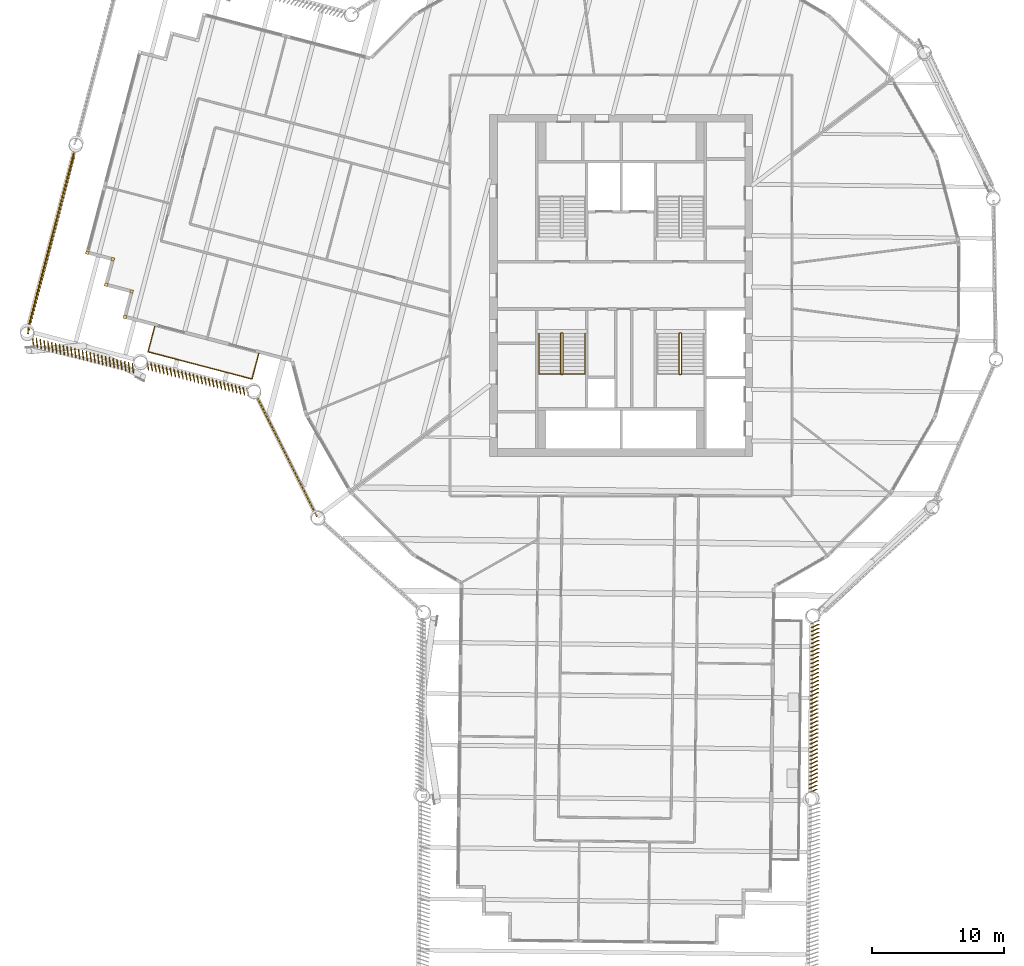
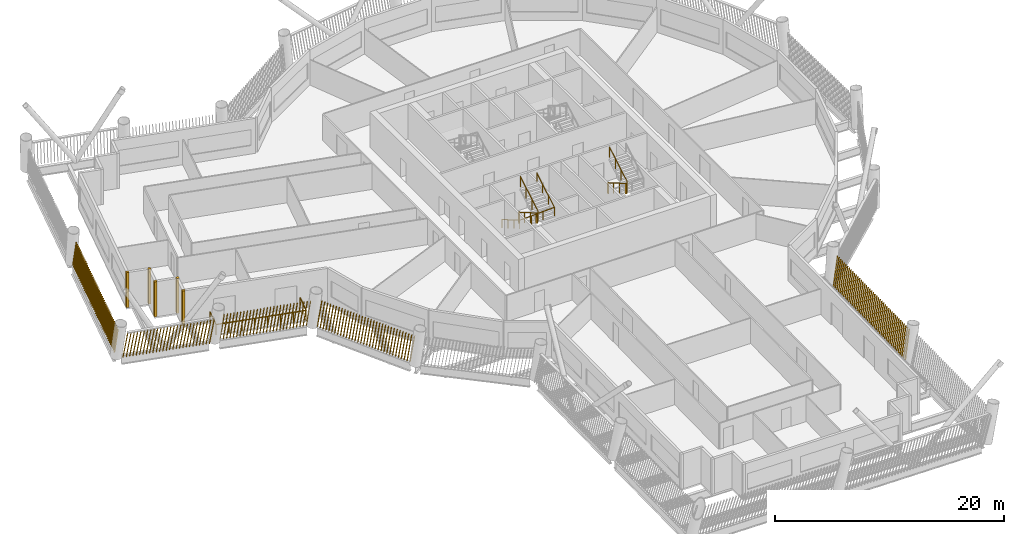
# One storey, part 18 of 21: 10 shading devices, 4 railings.
"""IFC4 building model written with IfcOpenShell, lengths in metres."""

from ifc_helpers import new_model, si_unit, direction, frame, frame_2d, origin, origin_2d, place, context, subcontext, project, spatial, rectangle, circle, composite_profile, extrude, material, type_object, element, save


model = new_model("IFC4")

# Units and contexts
model_context = context("Model", 3, precision=1e-05, world=origin(), true_north=direction((0.0, 1.0)))
body_context = subcontext(model_context, "Body", "Model", "MODEL_VIEW")
ifc_project = project(units=[si_unit("LENGTHUNIT", "METRE"), si_unit("AREAUNIT", "SQUARE_METRE"), si_unit("VOLUMEUNIT", "CUBIC_METRE"), si_unit("PLANEANGLEUNIT", "RADIAN"), si_unit("MASSUNIT", "GRAM", prefix="KILO")], contexts=[model_context])

# Site, building, storey
site_placement = place(None, origin())
site = spatial("IfcSite", under=ifc_project, at=site_placement, CompositionType="ELEMENT")
building_placement = place(site_placement, origin())
building = spatial("IfcBuilding", under=site, at=building_placement, Name="Tarsis Ring Headquarters", CompositionType="ELEMENT")
storey_placement = place(building_placement, frame((0.0, 0.0, 223.800048828125)))
storey = spatial("IfcBuildingStorey", under=building, at=storey_placement, Name="L52", CompositionType="ELEMENT", Elevation=223.800048828125)

# Railings
ifc_material_1 = material(Name="Stainless steel guard", Category="steel")
railing_type_1 = type_object("IfcRailingType", Name="Balcony balustrade with mesh infill 1100", PredefinedType="BALUSTRADE", material=ifc_material_1)
railing_1_placement = place(storey_placement, frame((-35.447509765625, -3.11865234375, 0.0)))
element("IfcRailing", 1, at=railing_1_placement, inside=storey, type_object=railing_type_1, Name="Balcony balustrade L52-01", PredefinedType="BALUSTRADE", context=body_context, shape_type="SweptSolid", body=[
    extrude(circle(Radius=0.030029296875, at=origin_2d()), frame((0.0, 0.0, 1.070068359375), z_axis=(-0.25340562707, -0.967360112972, 0.0), x_axis=(0.967360112972, -0.25340562707, 0.0)), (0.0, 0.0, 1.0), 2.0),
    extrude(circle(Radius=0.030029296875, at=origin_2d()), frame((-0.5068359375, -1.934814453125, 1.070068359375), z_axis=(0.967361064784, -0.253401993561, 0.0), x_axis=(0.253401993561, 0.967361064784, 0.0)), (0.0, 0.0, 1.0), 8.172119140625),
    extrude(circle(Radius=0.030029296875, at=origin_2d()), frame((7.3984375, -4.005615234375, 1.070068359375), z_axis=(0.25343555267, 0.967352273292, 0.0), x_axis=(-0.967352273292, 0.25343555267, 0.0)), (0.0, 0.0, 1.0), 1.999755859375),
    extrude(circle(Radius=0.02490234375, at=origin_2d()), origin(), (0.0, 0.0, 1.0), 1.0400390625),
    extrude(circle(Radius=0.02490234375, at=origin_2d()), frame((-0.25341796875, -0.96728515625, 0.0)), (0.0, 0.0, 1.0), 1.0400390625),
    extrude(circle(Radius=0.02490234375, at=origin_2d()), frame((-0.5068359375, -1.934814453125, 0.0)), (0.0, 0.0, 1.0), 1.0400390625),
    extrude(circle(Radius=0.02490234375, at=origin_2d()), frame((0.62255859375, -2.230712890625, 0.0)), (0.0, 0.0, 1.0), 1.0400390625),
    extrude(circle(Radius=0.02490234375, at=origin_2d()), frame((1.751708984375, -2.5263671875, 0.0)), (0.0, 0.0, 1.0), 1.0400390625),
    extrude(circle(Radius=0.02490234375, at=origin_2d()), frame((2.881103515625, -2.822265625, 0.0)), (0.0, 0.0, 1.0), 1.0400390625),
    extrude(circle(Radius=0.02490234375, at=origin_2d()), frame((4.010498046875, -3.1181640625, 0.0)), (0.0, 0.0, 1.0), 1.0400390625),
    extrude(circle(Radius=0.02490234375, at=origin_2d()), frame((5.139892578125, -3.4140625, 0.0)), (0.0, 0.0, 1.0), 1.0400390625),
    extrude(circle(Radius=0.02490234375, at=origin_2d()), frame((6.26904296875, -3.709716796875, 0.0)), (0.0, 0.0, 1.0), 1.0400390625),
    extrude(circle(Radius=0.02490234375, at=origin_2d()), frame((7.3984375, -4.005615234375, 0.0)), (0.0, 0.0, 1.0), 1.0400390625),
    extrude(circle(Radius=0.02490234375, at=origin_2d()), frame((7.65185546875, -3.038330078125, 0.0)), (0.0, 0.0, 1.0), 1.0400390625),
    extrude(circle(Radius=0.02490234375, at=origin_2d()), frame((7.9052734375, -2.071044921875, 0.0)), (0.0, 0.0, 1.0), 1.0400390625),
])
ifc_material_2 = material(Name="Steel S355", Category="steel")
railing_type_2 = type_object("IfcRailingType", Name="Core stair guard 1100", PredefinedType="GUARDRAIL", material=ifc_material_2)
railing_2_placement = place(storey_placement, frame((-4.4599609375, -3.610107421875, 0.0)))
element("IfcRailing", 2, at=railing_2_placement, inside=storey, type_object=railing_type_2, Name="L52 ST3 stair guard 1", PredefinedType="GUARDRAIL", context=body_context, shape_type="SweptSolid", body=[
    extrude(circle(Radius=0.02392578125, at=origin_2d()), frame((0.0, 0.0, 1.076171875), z_axis=(-1.0, 0.0, 0.0), x_axis=(0.0, -1.0, 0.0)), (0.0, 0.0, 1.0), 0.080078125),
    extrude(circle(Radius=0.02392578125, at=origin_2d()), frame((-0.080078125, 0.0, 1.076171875), z_axis=(-0.282693820306, -0.281314826061, 0.917031173188), x_axis=(0.705375805398, -0.708833529934, 0.0)), (0.0, 0.0, 1.0), 0.177001953125),
    extrude(circle(Radius=0.02392578125, at=origin_2d()), frame((-0.130126953125, -0.0498046875, 1.23828125), z_axis=(0.0, -0.864890721111, 0.501960198159), x_axis=(1.0, 0.0, 0.0)), (0.0, 0.0, 1.0), 3.561279296875),
    extrude(circle(Radius=0.02392578125, at=origin_2d()), frame((-0.130126953125, -3.1298828125, 3.02587890625), z_axis=(0.707106781187, -0.707106781187, 0.0), x_axis=(0.707106781187, 0.707106781187, 0.0)), (0.0, 0.0, 1.0), 0.07080078125),
    extrude(circle(Radius=0.02392578125, at=origin_2d()), frame((-0.080078125, -3.179931640625, 3.02587890625), z_axis=(1.0, 0.0, 0.0), x_axis=(0.0, 1.0, 0.0)), (0.0, 0.0, 1.0), 0.080078125),
    extrude(circle(Radius=0.02392578125, at=origin_2d()), frame((0.0, -3.179931640625, 3.02587890625), z_axis=(0.282227285176, 0.282227285176, 0.916894497205), x_axis=(-0.707106781187, 0.707106781187, 0.0)), (0.0, 0.0, 1.0), 0.17724609375),
    extrude(circle(Radius=0.02392578125, at=origin_2d()), frame((0.050048828125, -3.1298828125, 3.1884765625), z_axis=(0.0, 0.864920483161, 0.501908913857), x_axis=(-1.0, 0.0, 0.0)), (0.0, 0.0, 1.0), 3.56103515625),
    extrude(circle(Radius=0.02099609375, at=origin_2d()), origin(), (0.0, 0.0, 1.0), 1.052001953125),
    extrude(circle(Radius=0.02099609375, at=origin_2d()), frame((-0.080078125, 0.0, 0.0)), (0.0, 0.0, 1.0), 1.052001953125),
    extrude(circle(Radius=0.02099609375, at=origin_2d()), frame((-0.130126953125, -0.0498046875, 0.162353515625)), (0.0, 0.0, 1.0), 1.052001953125),
    extrude(circle(Radius=0.02099609375, at=origin_2d()), frame((-0.130126953125, -1.076416015625, 0.75830078125)), (0.0, 0.0, 1.0), 1.052001953125),
    extrude(circle(Radius=0.02099609375, at=origin_2d()), frame((-0.130126953125, -2.103271484375, 1.35400390625)), (0.0, 0.0, 1.0), 1.052001953125),
    extrude(circle(Radius=0.02099609375, at=origin_2d()), frame((-0.130126953125, -3.1298828125, 1.949951171875)), (0.0, 0.0, 1.0), 1.052001953125),
    extrude(circle(Radius=0.02099609375, at=origin_2d()), frame((-0.080078125, -3.179931640625, 1.949951171875)), (0.0, 0.0, 1.0), 1.052001953125),
    extrude(circle(Radius=0.02099609375, at=origin_2d()), frame((0.0, -3.179931640625, 1.949951171875)), (0.0, 0.0, 1.0), 1.052001953125),
    extrude(circle(Radius=0.02099609375, at=origin_2d()), frame((0.050048828125, -3.1298828125, 2.112548828125)), (0.0, 0.0, 1.0), 1.052001953125),
    extrude(circle(Radius=0.02099609375, at=origin_2d()), frame((0.050048828125, -2.103271484375, 2.708251953125)), (0.0, 0.0, 1.0), 1.052001953125),
    extrude(circle(Radius=0.02099609375, at=origin_2d()), frame((0.050048828125, -1.076416015625, 3.30419921875)), (0.0, 0.0, 1.0), 1.052001953125),
    extrude(circle(Radius=0.02099609375, at=origin_2d()), frame((0.050048828125, -0.0498046875, 3.89990234375)), (0.0, 0.0, 1.0), 1.052001953125),
])
railing_3_placement = place(storey_placement, frame((4.5400390625, -3.610107421875, 0.0)))
element("IfcRailing", 3, at=railing_3_placement, inside=storey, type_object=railing_type_2, Name="L52 ST4 stair guard 1", PredefinedType="GUARDRAIL", context=body_context, shape_type="SweptSolid", body=[
    extrude(circle(Radius=0.02392578125, at=origin_2d()), frame((0.0, 0.0, 1.076171875), z_axis=(-1.0, 0.0, 0.0), x_axis=(0.0, -1.0, 0.0)), (0.0, 0.0, 1.0), 0.080078125),
    extrude(circle(Radius=0.02392578125, at=origin_2d()), frame((-0.080078125, 0.0, 1.076171875), z_axis=(-0.282693820306, -0.281314826061, 0.917031173188), x_axis=(0.705375805398, -0.708833529934, 0.0)), (0.0, 0.0, 1.0), 0.177001953125),
    extrude(circle(Radius=0.02392578125, at=origin_2d()), frame((-0.130126953125, -0.0498046875, 1.23828125), z_axis=(0.0, -0.864890721111, 0.501960198159), x_axis=(1.0, 0.0, 0.0)), (0.0, 0.0, 1.0), 3.561279296875),
    extrude(circle(Radius=0.02392578125, at=origin_2d()), frame((-0.130126953125, -3.1298828125, 3.02587890625), z_axis=(0.707106781187, -0.707106781187, 0.0), x_axis=(0.707106781187, 0.707106781187, 0.0)), (0.0, 0.0, 1.0), 0.07080078125),
    extrude(circle(Radius=0.02392578125, at=origin_2d()), frame((-0.080078125, -3.179931640625, 3.02587890625), z_axis=(1.0, 0.0, 0.0), x_axis=(0.0, 1.0, 0.0)), (0.0, 0.0, 1.0), 0.080078125),
    extrude(circle(Radius=0.02392578125, at=origin_2d()), frame((0.0, -3.179931640625, 3.02587890625), z_axis=(0.282227285176, 0.282227285176, 0.916894497205), x_axis=(-0.707106781187, 0.707106781187, 0.0)), (0.0, 0.0, 1.0), 0.17724609375),
    extrude(circle(Radius=0.02392578125, at=origin_2d()), frame((0.050048828125, -3.1298828125, 3.1884765625), z_axis=(0.0, 0.864920483161, 0.501908913857), x_axis=(-1.0, 0.0, 0.0)), (0.0, 0.0, 1.0), 3.56103515625),
    extrude(circle(Radius=0.02099609375, at=origin_2d()), origin(), (0.0, 0.0, 1.0), 1.052001953125),
    extrude(circle(Radius=0.02099609375, at=origin_2d()), frame((-0.080078125, 0.0, 0.0)), (0.0, 0.0, 1.0), 1.052001953125),
    extrude(circle(Radius=0.02099609375, at=origin_2d()), frame((-0.130126953125, -0.0498046875, 0.162353515625)), (0.0, 0.0, 1.0), 1.052001953125),
    extrude(circle(Radius=0.02099609375, at=origin_2d()), frame((-0.130126953125, -1.076416015625, 0.75830078125)), (0.0, 0.0, 1.0), 1.052001953125),
    extrude(circle(Radius=0.02099609375, at=origin_2d()), frame((-0.130126953125, -2.103271484375, 1.35400390625)), (0.0, 0.0, 1.0), 1.052001953125),
    extrude(circle(Radius=0.02099609375, at=origin_2d()), frame((-0.130126953125, -3.1298828125, 1.949951171875)), (0.0, 0.0, 1.0), 1.052001953125),
    extrude(circle(Radius=0.02099609375, at=origin_2d()), frame((-0.080078125, -3.179931640625, 1.949951171875)), (0.0, 0.0, 1.0), 1.052001953125),
    extrude(circle(Radius=0.02099609375, at=origin_2d()), frame((0.0, -3.179931640625, 1.949951171875)), (0.0, 0.0, 1.0), 1.052001953125),
    extrude(circle(Radius=0.02099609375, at=origin_2d()), frame((0.050048828125, -3.1298828125, 2.112548828125)), (0.0, 0.0, 1.0), 1.052001953125),
    extrude(circle(Radius=0.02099609375, at=origin_2d()), frame((0.050048828125, -2.103271484375, 2.708251953125)), (0.0, 0.0, 1.0), 1.052001953125),
    extrude(circle(Radius=0.02099609375, at=origin_2d()), frame((0.050048828125, -1.076416015625, 3.30419921875)), (0.0, 0.0, 1.0), 1.052001953125),
    extrude(circle(Radius=0.02099609375, at=origin_2d()), frame((0.050048828125, -0.0498046875, 3.89990234375)), (0.0, 0.0, 1.0), 1.052001953125),
])
railing_type_3 = type_object("IfcRailingType", Name="Core stair handrail 900", PredefinedType="HANDRAIL", material=ifc_material_2)
railing_4_placement = place(storey_placement, frame((-6.25, -3.659912109375, 0.162353515625)))
element("IfcRailing", 4, at=railing_4_placement, inside=storey, type_object=railing_type_3, Name="L52 ST3 stair handrail 1", PredefinedType="HANDRAIL", context=body_context, shape_type="SweptSolid", body=[
    extrude(circle(Radius=0.02392578125, at=origin_2d()), frame((0.0, 0.0, 0.8759765625), z_axis=(0.0, -0.864890721111, 0.501960198159), x_axis=(1.0, 0.0, 0.0)), (0.0, 0.0, 1.0), 3.561279296875),
    extrude(circle(Radius=0.02392578125, at=origin_2d()), frame((0.0, -3.080078125, 2.66357421875), z_axis=(0.998922641604, 0.0, 0.046406422943), x_axis=(0.0, 1.0, 0.0)), (0.0, 0.0, 1.0), 3.503662109375),
    extrude(circle(Radius=0.02392578125, at=origin_2d()), frame((3.5, -3.080078125, 2.826171875), z_axis=(0.0, 0.864920483161, 0.501908913857), x_axis=(-1.0, 0.0, 0.0)), (0.0, 0.0, 1.0), 3.56103515625),
    extrude(circle(Radius=0.02099609375, at=origin_2d()), origin(), (0.0, 0.0, 1.0), 0.851806640625),
    extrude(circle(Radius=0.02099609375, at=origin_2d()), frame((0.0, -1.026611328125, 0.595947265625)), (0.0, 0.0, 1.0), 0.851806640625),
    extrude(circle(Radius=0.02099609375, at=origin_2d()), frame((0.0, -2.053466796875, 1.191650390625)), (0.0, 0.0, 1.0), 0.851806640625),
    extrude(circle(Radius=0.02099609375, at=origin_2d()), frame((0.0, -3.080078125, 1.78759765625)), (0.0, 0.0, 1.0), 0.851806640625),
    extrude(circle(Radius=0.02099609375, at=origin_2d()), frame((1.166748046875, -3.080078125, 1.841796875)), (0.0, 0.0, 1.0), 0.851806640625),
    extrude(circle(Radius=0.02099609375, at=origin_2d()), frame((2.333251953125, -3.080078125, 1.89599609375)), (0.0, 0.0, 1.0), 0.851806640625),
    extrude(circle(Radius=0.02099609375, at=origin_2d()), frame((3.5, -3.080078125, 1.9501953125)), (0.0, 0.0, 1.0), 0.851806640625),
    extrude(circle(Radius=0.02099609375, at=origin_2d()), frame((3.5, -2.053466796875, 2.5458984375)), (0.0, 0.0, 1.0), 0.851806640625),
    extrude(circle(Radius=0.02099609375, at=origin_2d()), frame((3.5, -1.026611328125, 3.141845703125)), (0.0, 0.0, 1.0), 0.851806640625),
    extrude(circle(Radius=0.02099609375, at=origin_2d()), frame((3.5, 0.0, 3.737548828125)), (0.0, 0.0, 1.0), 0.851806640625),
])

# Shading devices
ifc_material_3 = material(Name="Terracotta baguette", Category="masonry")
shading_device_type_1 = type_object("IfcShadingDeviceType", Name="Terracotta baguette screen", PredefinedType="USERDEFINED", material=ifc_material_3)
shading_device_1_placement = place(storey_placement, frame((14.34326171875, -38.57080078125, 0.0), z_axis=(0.0, 0.0, 1.0), x_axis=(0.011864214351, 0.999924311232, 0.0)))
element("IfcShadingDevice", 5, at=shading_device_1_placement, inside=storey, type_object=shading_device_type_1, Name="Baguette screen L52-06", ObjectType="Terracotta baguette screen", PredefinedType="USERDEFINED", context=body_context, shape_type="SweptSolid", body=[
    extrude(composite_profile([rectangle(XDim=0.06005859375, YDim=0.1201171875, at=frame_2d((0.030029296875, 0.0))), rectangle(XDim=0.06005859375, YDim=0.1201171875, at=frame_2d((0.335693359375, 0.0))), rectangle(XDim=0.06005859375, YDim=0.1201171875, at=frame_2d((0.6416015625, 0.0))), rectangle(XDim=0.06005859375, YDim=0.1201171875, at=frame_2d((0.947265625, 0.0))), rectangle(XDim=0.06005859375, YDim=0.1201171875, at=frame_2d((1.253173828125, 0.0))), rectangle(XDim=0.06005859375, YDim=0.1201171875, at=frame_2d((1.558837890625, 0.0))), rectangle(XDim=0.06005859375, YDim=0.1201171875, at=frame_2d((1.864501953125, 0.0))), rectangle(XDim=0.06005859375, YDim=0.1201171875, at=frame_2d((2.17041015625, 0.0))), rectangle(XDim=0.06005859375, YDim=0.1201171875, at=frame_2d((2.47607421875, 0.0))), rectangle(XDim=0.06005859375, YDim=0.1201171875, at=frame_2d((2.781982421875, 0.0))), rectangle(XDim=0.06005859375, YDim=0.1201171875, at=frame_2d((3.087646484375, 0.0))), rectangle(XDim=0.06005859375, YDim=0.1201171875, at=frame_2d((3.393310546875, 0.0))), rectangle(XDim=0.06005859375, YDim=0.1201171875, at=frame_2d((3.69921875, 0.0))), rectangle(XDim=0.06005859375, YDim=0.1201171875, at=frame_2d((4.0048828125, 0.0))), rectangle(XDim=0.06005859375, YDim=0.1201171875, at=frame_2d((4.310791015625, 0.0))), rectangle(XDim=0.06005859375, YDim=0.1201171875, at=frame_2d((4.616455078125, 0.0))), rectangle(XDim=0.06005859375, YDim=0.1201171875, at=frame_2d((4.922119140625, 0.0))), rectangle(XDim=0.06005859375, YDim=0.1201171875, at=frame_2d((5.22802734375, 0.0))), rectangle(XDim=0.06005859375, YDim=0.1201171875, at=frame_2d((5.53369140625, 0.0))), rectangle(XDim=0.06005859375, YDim=0.1201171875, at=frame_2d((5.839599609375, 0.0))), rectangle(XDim=0.06005859375, YDim=0.1201171875, at=frame_2d((6.145263671875, 0.0))), rectangle(XDim=0.06005859375, YDim=0.1201171875, at=frame_2d((6.451171875, 0.0))), rectangle(XDim=0.06005859375, YDim=0.1201171875, at=frame_2d((6.7568359375, 0.0))), rectangle(XDim=0.06005859375, YDim=0.1201171875, at=frame_2d((7.0625, 0.0))), rectangle(XDim=0.06005859375, YDim=0.1201171875, at=frame_2d((7.368408203125, 0.0))), rectangle(XDim=0.06005859375, YDim=0.1201171875, at=frame_2d((7.674072265625, 0.0))), rectangle(XDim=0.06005859375, YDim=0.1201171875, at=frame_2d((7.97998046875, 0.0))), rectangle(XDim=0.06005859375, YDim=0.1201171875, at=frame_2d((8.28564453125, 0.0))), rectangle(XDim=0.06005859375, YDim=0.1201171875, at=frame_2d((8.59130859375, 0.0))), rectangle(XDim=0.06005859375, YDim=0.1201171875, at=frame_2d((8.897216796875, 0.0))), rectangle(XDim=0.06005859375, YDim=0.1201171875, at=frame_2d((9.202880859375, 0.0))), rectangle(XDim=0.06005859375, YDim=0.1201171875, at=frame_2d((9.5087890625, 0.0))), rectangle(XDim=0.06005859375, YDim=0.1201171875, at=frame_2d((9.814453125, 0.0))), rectangle(XDim=0.06005859375, YDim=0.1201171875, at=frame_2d((10.1201171875, 0.0))), rectangle(XDim=0.06005859375, YDim=0.1201171875, at=frame_2d((10.426025390625, 0.0))), rectangle(XDim=0.06005859375, YDim=0.1201171875, at=frame_2d((10.731689453125, 0.0))), rectangle(XDim=0.06005859375, YDim=0.1201171875, at=frame_2d((11.03759765625, 0.0))), rectangle(XDim=0.06005859375, YDim=0.1201171875, at=frame_2d((11.34326171875, 0.0))), rectangle(XDim=0.06005859375, YDim=0.1201171875, at=frame_2d((11.64892578125, 0.0))), rectangle(XDim=0.06005859375, YDim=0.1201171875, at=frame_2d((11.954833984375, 0.0))), rectangle(XDim=0.06005859375, YDim=0.1201171875, at=frame_2d((12.260498046875, 0.0))), rectangle(XDim=0.06005859375, YDim=0.1201171875, at=frame_2d((12.56640625, 0.0))), rectangle(XDim=0.06005859375, YDim=0.1201171875, at=frame_2d((12.8720703125, 0.0)))]), origin(), (0.083914960223, -0.177228539228, 0.980585704737), 3.00830078125),
])
shading_device_2_placement = place(storey_placement, frame((-41.529541015625, 10.36279296875, 0.0), z_axis=(0.0, 0.0, 1.0), x_axis=(-0.253427686864, -0.967359575409, 0.0)))
element("IfcShadingDevice", 6, at=shading_device_2_placement, inside=storey, type_object=shading_device_type_1, Name="Baguette screen L52-18", ObjectType="Terracotta baguette screen", PredefinedType="USERDEFINED", context=body_context, shape_type="SweptSolid", body=[
    extrude(composite_profile([rectangle(XDim=0.06005859375, YDim=0.1201171875, at=frame_2d((0.030029296875, 0.0))), rectangle(XDim=0.06005859375, YDim=0.1201171875, at=frame_2d((0.33544921875, 0.0))), rectangle(XDim=0.06005859375, YDim=0.1201171875, at=frame_2d((0.640625, 0.0))), rectangle(XDim=0.06005859375, YDim=0.1201171875, at=frame_2d((0.946044921875, 0.0))), rectangle(XDim=0.06005859375, YDim=0.1201171875, at=frame_2d((1.25146484375, 0.0))), rectangle(XDim=0.06005859375, YDim=0.1201171875, at=frame_2d((1.556640625, 0.0))), rectangle(XDim=0.06005859375, YDim=0.1201171875, at=frame_2d((1.862060546875, 0.0))), rectangle(XDim=0.06005859375, YDim=0.1201171875, at=frame_2d((2.16748046875, 0.0))), rectangle(XDim=0.06005859375, YDim=0.1201171875, at=frame_2d((2.47265625, 0.0))), rectangle(XDim=0.06005859375, YDim=0.1201171875, at=frame_2d((2.778076171875, 0.0))), rectangle(XDim=0.06005859375, YDim=0.1201171875, at=frame_2d((3.08349609375, 0.0))), rectangle(XDim=0.06005859375, YDim=0.1201171875, at=frame_2d((3.388671875, 0.0))), rectangle(XDim=0.06005859375, YDim=0.1201171875, at=frame_2d((3.694091796875, 0.0))), rectangle(XDim=0.06005859375, YDim=0.1201171875, at=frame_2d((3.99951171875, 0.0))), rectangle(XDim=0.06005859375, YDim=0.1201171875, at=frame_2d((4.3046875, 0.0))), rectangle(XDim=0.06005859375, YDim=0.1201171875, at=frame_2d((4.610107421875, 0.0))), rectangle(XDim=0.06005859375, YDim=0.1201171875, at=frame_2d((4.91552734375, 0.0))), rectangle(XDim=0.06005859375, YDim=0.1201171875, at=frame_2d((5.220703125, 0.0))), rectangle(XDim=0.06005859375, YDim=0.1201171875, at=frame_2d((5.526123046875, 0.0))), rectangle(XDim=0.06005859375, YDim=0.1201171875, at=frame_2d((5.83154296875, 0.0))), rectangle(XDim=0.06005859375, YDim=0.1201171875, at=frame_2d((6.13671875, 0.0))), rectangle(XDim=0.06005859375, YDim=0.1201171875, at=frame_2d((6.442138671875, 0.0))), rectangle(XDim=0.06005859375, YDim=0.1201171875, at=frame_2d((6.74755859375, 0.0))), rectangle(XDim=0.06005859375, YDim=0.1201171875, at=frame_2d((7.052734375, 0.0))), rectangle(XDim=0.06005859375, YDim=0.1201171875, at=frame_2d((7.358154296875, 0.0))), rectangle(XDim=0.06005859375, YDim=0.1201171875, at=frame_2d((7.66357421875, 0.0))), rectangle(XDim=0.06005859375, YDim=0.1201171875, at=frame_2d((7.96875, 0.0))), rectangle(XDim=0.06005859375, YDim=0.1201171875, at=frame_2d((8.274169921875, 0.0))), rectangle(XDim=0.06005859375, YDim=0.1201171875, at=frame_2d((8.57958984375, 0.0))), rectangle(XDim=0.06005859375, YDim=0.1201171875, at=frame_2d((8.884765625, 0.0))), rectangle(XDim=0.06005859375, YDim=0.1201171875, at=frame_2d((9.190185546875, 0.0))), rectangle(XDim=0.06005859375, YDim=0.1201171875, at=frame_2d((9.49560546875, 0.0))), rectangle(XDim=0.06005859375, YDim=0.1201171875, at=frame_2d((9.80078125, 0.0))), rectangle(XDim=0.06005859375, YDim=0.1201171875, at=frame_2d((10.106201171875, 0.0))), rectangle(XDim=0.06005859375, YDim=0.1201171875, at=frame_2d((10.41162109375, 0.0))), rectangle(XDim=0.06005859375, YDim=0.1201171875, at=frame_2d((10.716796875, 0.0))), rectangle(XDim=0.06005859375, YDim=0.1201171875, at=frame_2d((11.022216796875, 0.0))), rectangle(XDim=0.06005859375, YDim=0.1201171875, at=frame_2d((11.32763671875, 0.0))), rectangle(XDim=0.06005859375, YDim=0.1201171875, at=frame_2d((11.6328125, 0.0))), rectangle(XDim=0.06005859375, YDim=0.1201171875, at=frame_2d((11.938232421875, 0.0))), rectangle(XDim=0.06005859375, YDim=0.1201171875, at=frame_2d((12.24365234375, 0.0))), rectangle(XDim=0.06005859375, YDim=0.1201171875, at=frame_2d((12.548828125, 0.0))), rectangle(XDim=0.06005859375, YDim=0.1201171875, at=frame_2d((12.854248046875, 0.0))), rectangle(XDim=0.06005859375, YDim=0.1201171875, at=frame_2d((13.15966796875, 0.0))), rectangle(XDim=0.06005859375, YDim=0.1201171875, at=frame_2d((13.46484375, 0.0))), rectangle(XDim=0.06005859375, YDim=0.1201171875, at=frame_2d((13.770263671875, 0.0)))]), origin(), (0.235667669976, 0.042784027387, 0.970891485352), 3.038330078125),
])
shading_device_3_placement = place(storey_placement, frame((-44.764892578125, -3.9599609375, 0.0), z_axis=(0.0, 0.0, 1.0), x_axis=(0.967344290657, -0.253429312902, 0.0)))
element("IfcShadingDevice", 7, at=shading_device_3_placement, inside=storey, type_object=shading_device_type_1, Name="Baguette screen L52-19", ObjectType="Terracotta baguette screen", PredefinedType="USERDEFINED", context=body_context, shape_type="SweptSolid", body=[
    extrude(composite_profile([rectangle(XDim=0.06005859375, YDim=0.1201171875, at=frame_2d((0.030029296875, 0.0))), rectangle(XDim=0.06005859375, YDim=0.1201171875, at=frame_2d((0.33154296875, 0.0))), rectangle(XDim=0.06005859375, YDim=0.1201171875, at=frame_2d((0.63330078125, 0.0))), rectangle(XDim=0.06005859375, YDim=0.1201171875, at=frame_2d((0.934814453125, 0.0))), rectangle(XDim=0.06005859375, YDim=0.1201171875, at=frame_2d((1.236572265625, 0.0))), rectangle(XDim=0.06005859375, YDim=0.1201171875, at=frame_2d((1.5380859375, 0.0))), rectangle(XDim=0.06005859375, YDim=0.1201171875, at=frame_2d((1.83984375, 0.0))), rectangle(XDim=0.06005859375, YDim=0.1201171875, at=frame_2d((2.141357421875, 0.0))), rectangle(XDim=0.06005859375, YDim=0.1201171875, at=frame_2d((2.443115234375, 0.0))), rectangle(XDim=0.06005859375, YDim=0.1201171875, at=frame_2d((2.74462890625, 0.0))), rectangle(XDim=0.06005859375, YDim=0.1201171875, at=frame_2d((3.04638671875, 0.0))), rectangle(XDim=0.06005859375, YDim=0.1201171875, at=frame_2d((3.347900390625, 0.0))), rectangle(XDim=0.06005859375, YDim=0.1201171875, at=frame_2d((3.649658203125, 0.0))), rectangle(XDim=0.06005859375, YDim=0.1201171875, at=frame_2d((3.951171875, 0.0))), rectangle(XDim=0.06005859375, YDim=0.1201171875, at=frame_2d((4.252685546875, 0.0))), rectangle(XDim=0.06005859375, YDim=0.1201171875, at=frame_2d((4.554443359375, 0.0))), rectangle(XDim=0.06005859375, YDim=0.1201171875, at=frame_2d((4.85595703125, 0.0))), rectangle(XDim=0.06005859375, YDim=0.1201171875, at=frame_2d((5.15771484375, 0.0))), rectangle(XDim=0.06005859375, YDim=0.1201171875, at=frame_2d((5.459228515625, 0.0))), rectangle(XDim=0.06005859375, YDim=0.1201171875, at=frame_2d((5.760986328125, 0.0))), rectangle(XDim=0.06005859375, YDim=0.1201171875, at=frame_2d((6.0625, 0.0))), rectangle(XDim=0.06005859375, YDim=0.1201171875, at=frame_2d((6.3642578125, 0.0))), rectangle(XDim=0.06005859375, YDim=0.1201171875, at=frame_2d((6.665771484375, 0.0))), rectangle(XDim=0.06005859375, YDim=0.1201171875, at=frame_2d((6.967529296875, 0.0))), rectangle(XDim=0.06005859375, YDim=0.1201171875, at=frame_2d((7.26904296875, 0.0))), rectangle(XDim=0.06005859375, YDim=0.1201171875, at=frame_2d((7.57080078125, 0.0))), rectangle(XDim=0.06005859375, YDim=0.1201171875, at=frame_2d((7.872314453125, 0.0)))]), origin(), (0.085694099812, -0.211357925978, 0.973644877963), 3.02978515625),
])
shading_device_4_placement = place(storey_placement, frame((-36.05810546875, -5.853271484375, 0.0), z_axis=(0.0, 0.0, 1.0), x_axis=(0.967374177403, -0.253406247104, 0.0)))
element("IfcShadingDevice", 8, at=shading_device_4_placement, inside=storey, type_object=shading_device_type_1, Name="Baguette screen L52-20", ObjectType="Terracotta baguette screen", PredefinedType="USERDEFINED", context=body_context, shape_type="SweptSolid", body=[
    extrude(composite_profile([rectangle(XDim=0.06005859375, YDim=0.1201171875, at=frame_2d((0.030029296875, 0.0))), rectangle(XDim=0.06005859375, YDim=0.1201171875, at=frame_2d((0.33154296875, 0.0))), rectangle(XDim=0.06005859375, YDim=0.1201171875, at=frame_2d((0.63330078125, 0.0))), rectangle(XDim=0.06005859375, YDim=0.1201171875, at=frame_2d((0.934814453125, 0.0))), rectangle(XDim=0.06005859375, YDim=0.1201171875, at=frame_2d((1.236572265625, 0.0))), rectangle(XDim=0.06005859375, YDim=0.1201171875, at=frame_2d((1.5380859375, 0.0))), rectangle(XDim=0.06005859375, YDim=0.1201171875, at=frame_2d((1.83984375, 0.0))), rectangle(XDim=0.06005859375, YDim=0.1201171875, at=frame_2d((2.141357421875, 0.0))), rectangle(XDim=0.06005859375, YDim=0.1201171875, at=frame_2d((2.443115234375, 0.0))), rectangle(XDim=0.06005859375, YDim=0.1201171875, at=frame_2d((2.74462890625, 0.0))), rectangle(XDim=0.06005859375, YDim=0.1201171875, at=frame_2d((3.04638671875, 0.0))), rectangle(XDim=0.06005859375, YDim=0.1201171875, at=frame_2d((3.347900390625, 0.0))), rectangle(XDim=0.06005859375, YDim=0.1201171875, at=frame_2d((3.649658203125, 0.0))), rectangle(XDim=0.06005859375, YDim=0.1201171875, at=frame_2d((3.951171875, 0.0))), rectangle(XDim=0.06005859375, YDim=0.1201171875, at=frame_2d((4.252685546875, 0.0))), rectangle(XDim=0.06005859375, YDim=0.1201171875, at=frame_2d((4.554443359375, 0.0))), rectangle(XDim=0.06005859375, YDim=0.1201171875, at=frame_2d((4.85595703125, 0.0))), rectangle(XDim=0.06005859375, YDim=0.1201171875, at=frame_2d((5.15771484375, 0.0))), rectangle(XDim=0.06005859375, YDim=0.1201171875, at=frame_2d((5.459228515625, 0.0))), rectangle(XDim=0.06005859375, YDim=0.1201171875, at=frame_2d((5.760986328125, 0.0))), rectangle(XDim=0.06005859375, YDim=0.1201171875, at=frame_2d((6.0625, 0.0))), rectangle(XDim=0.06005859375, YDim=0.1201171875, at=frame_2d((6.3642578125, 0.0))), rectangle(XDim=0.06005859375, YDim=0.1201171875, at=frame_2d((6.665771484375, 0.0))), rectangle(XDim=0.06005859375, YDim=0.1201171875, at=frame_2d((6.967529296875, 0.0))), rectangle(XDim=0.06005859375, YDim=0.1201171875, at=frame_2d((7.26904296875, 0.0))), rectangle(XDim=0.06005859375, YDim=0.1201171875, at=frame_2d((7.57080078125, 0.0))), rectangle(XDim=0.06005859375, YDim=0.1201171875, at=frame_2d((7.872314453125, 0.0)))]), origin(), (0.083997381229, -0.163699827567, 0.982927670992), 3.001220703125),
])
shading_device_5_placement = place(storey_placement, frame((-27.7060546875, -8.429443359375, 0.0), z_axis=(0.0, 0.0, 1.0), x_axis=(0.44829481574, -0.893891317926, 0.0)))
element("IfcShadingDevice", 9, at=shading_device_5_placement, inside=storey, type_object=shading_device_type_1, Name="Baguette screen L52-21", ObjectType="Terracotta baguette screen", PredefinedType="USERDEFINED", context=body_context, shape_type="SweptSolid", body=[
    extrude(composite_profile([rectangle(XDim=0.06005859375, YDim=0.1201171875, at=frame_2d((0.030029296875, 0.0))), rectangle(XDim=0.06005859375, YDim=0.1201171875, at=frame_2d((0.33349609375, 0.0))), rectangle(XDim=0.06005859375, YDim=0.1201171875, at=frame_2d((0.636962890625, 0.0))), rectangle(XDim=0.06005859375, YDim=0.1201171875, at=frame_2d((0.9404296875, 0.0))), rectangle(XDim=0.06005859375, YDim=0.1201171875, at=frame_2d((1.243896484375, 0.0))), rectangle(XDim=0.06005859375, YDim=0.1201171875, at=frame_2d((1.54736328125, 0.0))), rectangle(XDim=0.06005859375, YDim=0.1201171875, at=frame_2d((1.85107421875, 0.0))), rectangle(XDim=0.06005859375, YDim=0.1201171875, at=frame_2d((2.154541015625, 0.0))), rectangle(XDim=0.06005859375, YDim=0.1201171875, at=frame_2d((2.4580078125, 0.0))), rectangle(XDim=0.06005859375, YDim=0.1201171875, at=frame_2d((2.761474609375, 0.0))), rectangle(XDim=0.06005859375, YDim=0.1201171875, at=frame_2d((3.06494140625, 0.0))), rectangle(XDim=0.06005859375, YDim=0.1201171875, at=frame_2d((3.368408203125, 0.0))), rectangle(XDim=0.06005859375, YDim=0.1201171875, at=frame_2d((3.671875, 0.0))), rectangle(XDim=0.06005859375, YDim=0.1201171875, at=frame_2d((3.975341796875, 0.0))), rectangle(XDim=0.06005859375, YDim=0.1201171875, at=frame_2d((4.27880859375, 0.0))), rectangle(XDim=0.06005859375, YDim=0.1201171875, at=frame_2d((4.582275390625, 0.0))), rectangle(XDim=0.06005859375, YDim=0.1201171875, at=frame_2d((4.8857421875, 0.0))), rectangle(XDim=0.06005859375, YDim=0.1201171875, at=frame_2d((5.189453125, 0.0))), rectangle(XDim=0.06005859375, YDim=0.1201171875, at=frame_2d((5.492919921875, 0.0))), rectangle(XDim=0.06005859375, YDim=0.1201171875, at=frame_2d((5.79638671875, 0.0))), rectangle(XDim=0.06005859375, YDim=0.1201171875, at=frame_2d((6.099853515625, 0.0))), rectangle(XDim=0.06005859375, YDim=0.1201171875, at=frame_2d((6.4033203125, 0.0))), rectangle(XDim=0.06005859375, YDim=0.1201171875, at=frame_2d((6.706787109375, 0.0))), rectangle(XDim=0.06005859375, YDim=0.1201171875, at=frame_2d((7.01025390625, 0.0))), rectangle(XDim=0.06005859375, YDim=0.1201171875, at=frame_2d((7.313720703125, 0.0))), rectangle(XDim=0.06005859375, YDim=0.1201171875, at=frame_2d((7.6171875, 0.0))), rectangle(XDim=0.06005859375, YDim=0.1201171875, at=frame_2d((7.920654296875, 0.0))), rectangle(XDim=0.06005859375, YDim=0.1201171875, at=frame_2d((8.224365234375, 0.0))), rectangle(XDim=0.06005859375, YDim=0.1201171875, at=frame_2d((8.52783203125, 0.0))), rectangle(XDim=0.06005859375, YDim=0.1201171875, at=frame_2d((8.831298828125, 0.0))), rectangle(XDim=0.06005859375, YDim=0.1201171875, at=frame_2d((9.134765625, 0.0))), rectangle(XDim=0.06005859375, YDim=0.1201171875, at=frame_2d((9.438232421875, 0.0))), rectangle(XDim=0.06005859375, YDim=0.1201171875, at=frame_2d((9.74169921875, 0.0)))]), origin(), (0.160033256257, 0.001343162927, 0.987110709498), 2.988525390625),
])
shading_device_type_2 = type_object("IfcShadingDeviceType", Name="Terracotta corner baguette 250x250", PredefinedType="USERDEFINED", material=ifc_material_3)
for number, where, z_axis, x_axis, name in (
    (10, (-37.71337890625, -2.39599609375, 0.0), (0.0, 0.0, 1.0), (-0.253420086389, -0.967356325154, 0.0), "Corner baguette L52-01"),
    (11, (-40.569091796875, 2.4873046875, 0.0), (0.0, 0.0, 1.0), (-0.253420238341, -0.967356285347, 0.0), "Corner baguette L52-37"),
    (12, (-38.63427734375, 1.98046875, 0.0), (0.0, 0.0, 1.0), (0.967356325154, -0.253420086389, 0.0), "Corner baguette L52-38"),
    (13, (-39.14111328125, 0.045654296875, 0.0), (0.0, 0.0, 1.0), (-0.25342042406, -0.967356236693, 0.0), "Corner baguette L52-39"),
    (14, (-37.20654296875, -0.461181640625, 0.0), (0.0, 0.0, 1.0), (0.967356236693, -0.25342042406, 0.0), "Corner baguette L52-40"),
):
    element("IfcShadingDevice", number, at=place(storey_placement, frame(where, z_axis=z_axis, x_axis=x_axis)), inside=storey, type_object=shading_device_type_2, Name=name, ObjectType="Terracotta corner baguette", PredefinedType="USERDEFINED", context=body_context, shape_type="SweptSolid", body=[
        extrude(rectangle(XDim=0.25, YDim=0.25, at=origin_2d()), origin(), (0.0, 0.0, 1.0), 3.739990234375),
    ])

save(model, "model.ifc")
